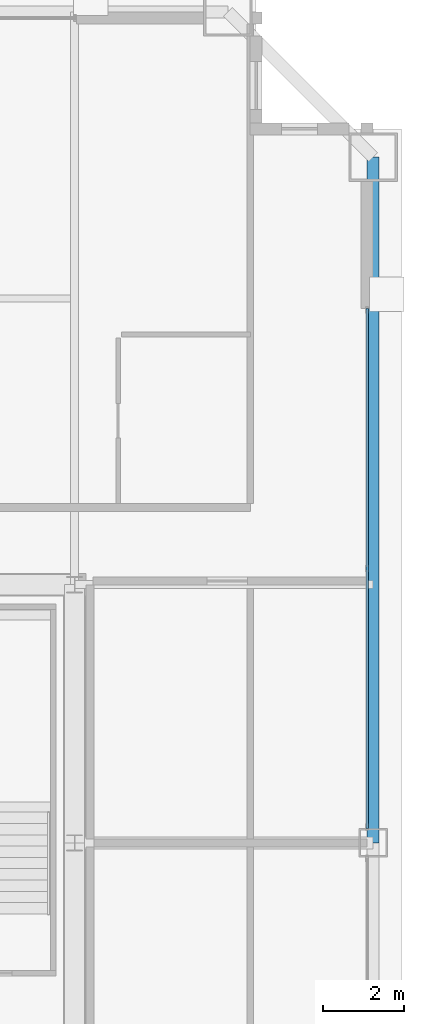
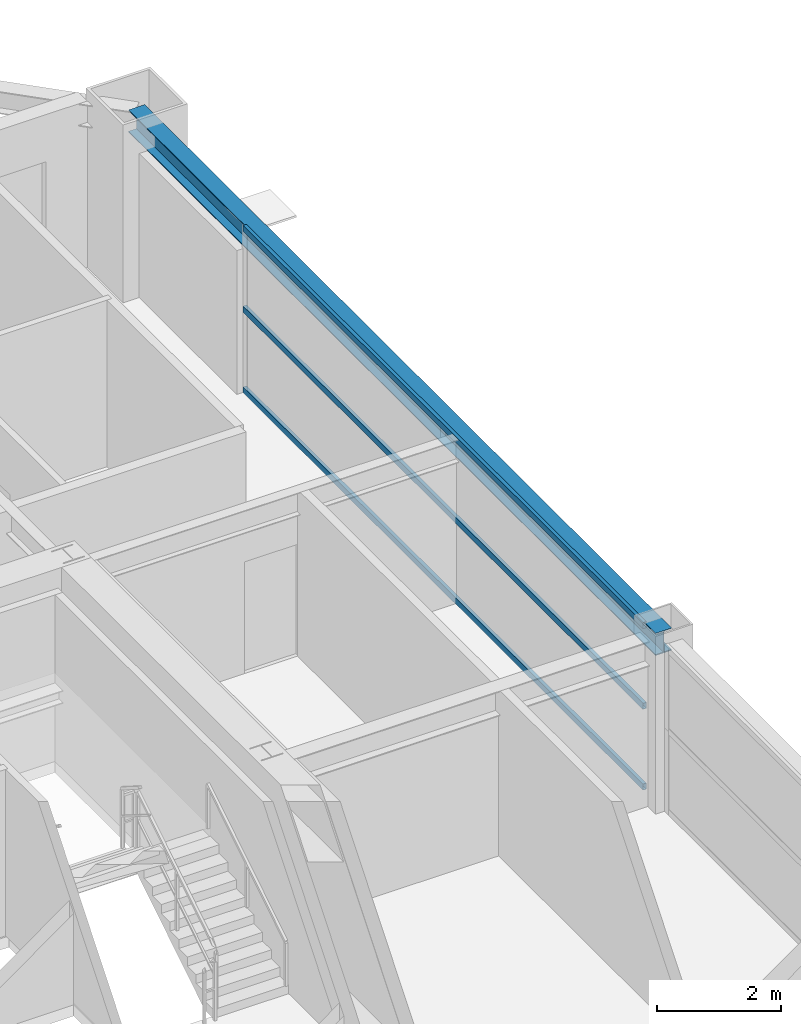
# One storey, part 21 of 36: 3 members, 1 beam, 1 element without a shape of its own.
"""IFC4 building model written with IfcOpenShell, lengths in metres."""

from ifc_helpers import new_model, si_unit, direction, frame, origin, origin_2d, place, context, subcontext, project, spatial, hollow_rectangle, i_section, extrude, source, transform, mapped, material, layer, layer_set, material_profile, profile_set, type_object, element, aggregate, save


model = new_model("IFC4")

# Units and contexts
model_context = context("Model", 3, precision=1e-05, world=origin(), true_north=direction((0.0, 1.0)))
body_context = subcontext(model_context, "Body", "Model", "MODEL_VIEW")
ifc_project = project(units=[si_unit("LENGTHUNIT", "METRE"), si_unit("AREAUNIT", "SQUARE_METRE"), si_unit("VOLUMEUNIT", "CUBIC_METRE"), si_unit("PLANEANGLEUNIT", "RADIAN"), si_unit("MASSUNIT", "GRAM", prefix="KILO"), si_unit("THERMODYNAMICTEMPERATUREUNIT", "KELVIN"), si_unit("POWERUNIT", "WATT")], contexts=[model_context])

# Site, building, storey
site_placement = place(None, origin())
site = spatial("IfcSite", under=ifc_project, at=site_placement, CompositionType="ELEMENT")
building_placement = place(site_placement, origin())
building = spatial("IfcBuilding", under=site, at=building_placement, Name="Yuzanri Waterfront Tower", CompositionType="ELEMENT")
storey_placement = place(building_placement, frame((0.0, 0.0, 224.10009765625)))
storey = spatial("IfcBuildingStorey", under=building, at=storey_placement, Name="L59", CompositionType="ELEMENT", Elevation=224.10009765625)

# Beam
ifc_material_1 = material(Name="Steel Q355B", Category="steel")
ifc_material_profile_1 = material_profile(ifc_material_1, i_section(OverallWidth=0.300048828125, OverallDepth=0.43994140625, WebThickness=0.010986328125, FlangeThickness=0.01806640625, at=origin_2d()), Name="HM 440x300x11x18")
ifc_profile_set_1 = profile_set([ifc_material_profile_1], Name="Steel Q355B")
beam_type = type_object("IfcBeamType", Name="Perimeter Spandrel Q355B HM 440x300", PredefinedType="SPANDREL", material=ifc_profile_set_1)
shared_shape_1 = source(origin(), body_context, "Body", "SweptSolid", [
    extrude(i_section(OverallWidth=0.300048828125, OverallDepth=0.43994140625, WebThickness=0.010986328125, FlangeThickness=0.01806640625, at=origin_2d()), origin(), (0.0, 0.0, 1.0), 17.0),
])
beam_placement = place(storey_placement, frame((57.60009765625, 25.800048828125, 3.059814453125), z_axis=(0.0, 1.0, 0.0), x_axis=(-1.0, 0.0, 0.0)))
element("IfcBeam", 1, at=beam_placement, inside=storey, type_object=beam_type, Name="L59 Perimeter Spandrel E2-E3", PredefinedType="SPANDREL", context=body_context, shape_type="MappedRepresentation", body=[
    mapped(shared_shape_1, transform((0.0, 0.0, 0.0), scale=1.0)),
])

# Curtain wall, members
ifc_material_2 = material(Name="Anodized Architectural Bronze", Category="metal")
ifc_layer = layer(ifc_material_2, 0.159912109375)
ifc_layer_set = layer_set([ifc_layer], Name="Anodized Architectural Bronze")
curtain_wall_type = type_object("IfcCurtainWallType", Name="Anodized Bronze Mid-Rise Residential Acoustic Unitized Curtain Wall 7200", PredefinedType="NOTDEFINED", material=ifc_layer_set)
curtain_wall_placement = place(storey_placement, origin())
curtain_wall = element("IfcCurtainWall", 2, at=curtain_wall_placement, inside=storey, type_object=curtain_wall_type, Name="L59 Curtain Wall CW-L59-ER", PredefinedType="NOTDEFINED")
ifc_material_3 = material(Name="Anodized Architectural Bronze", Category="metal")
ifc_material_profile_2 = material_profile(ifc_material_3, hollow_rectangle(XDim=0.06494140625, YDim=0.1201171875, WallThickness=0.00341796875, at=origin_2d()), Name="CWT 65x120")
ifc_profile_set_2 = profile_set([ifc_material_profile_2], Name="Anodized Architectural Bronze")
member_type = type_object("IfcMemberType", Name="Anodized Bronze Secondary Curtain-Wall Transom 65x120", PredefinedType="USERDEFINED", material=ifc_profile_set_2)
shared_shape_2 = source(origin(), body_context, "Body", "SweptSolid", [
    extrude(hollow_rectangle(XDim=0.06494140625, YDim=0.1201171875, WallThickness=0.00341796875, at=origin_2d()), origin(), (0.0, 0.0, 1.0), 12.900146484375),
])
member_1_placement = place(storey_placement, frame((57.449951171875, 26.14990234375, 0.0498046875), z_axis=(0.0, 1.0, 0.0), x_axis=(-1.0, 0.0, 0.0)))
member_1 = element("IfcMember", 3, at=member_1_placement, type_object=member_type, Name="CW-L59-ER Transom 1", ObjectType="TRANSOM", PredefinedType="USERDEFINED", context=body_context, shape_type="MappedRepresentation", body=[
    mapped(shared_shape_2, transform((0.0, 0.0, 0.0), scale=1.0)),
])
member_2_placement = place(storey_placement, frame((57.449951171875, 26.14990234375, 1.639892578125), z_axis=(0.0, 1.0, 0.0), x_axis=(-1.0, 0.0, 0.0)))
member_2 = element("IfcMember", 4, at=member_2_placement, type_object=member_type, Name="CW-L59-ER Transom 2", ObjectType="TRANSOM", PredefinedType="USERDEFINED", context=body_context, shape_type="MappedRepresentation", body=[
    mapped(shared_shape_2, transform((0.0, 0.0, 0.0), scale=1.0)),
])
member_3_placement = place(storey_placement, frame((57.449951171875, 26.14990234375, 3.22998046875), z_axis=(0.0, 1.0, 0.0), x_axis=(-1.0, 0.0, 0.0)))
member_3 = element("IfcMember", 5, at=member_3_placement, type_object=member_type, Name="CW-L59-ER Transom 3", ObjectType="TRANSOM", PredefinedType="USERDEFINED", context=body_context, shape_type="MappedRepresentation", body=[
    mapped(shared_shape_2, transform((0.0, 0.0, 0.0), scale=1.0)),
])
aggregate(curtain_wall, [member_1, member_2, member_3])

save(model, "model.ifc")
